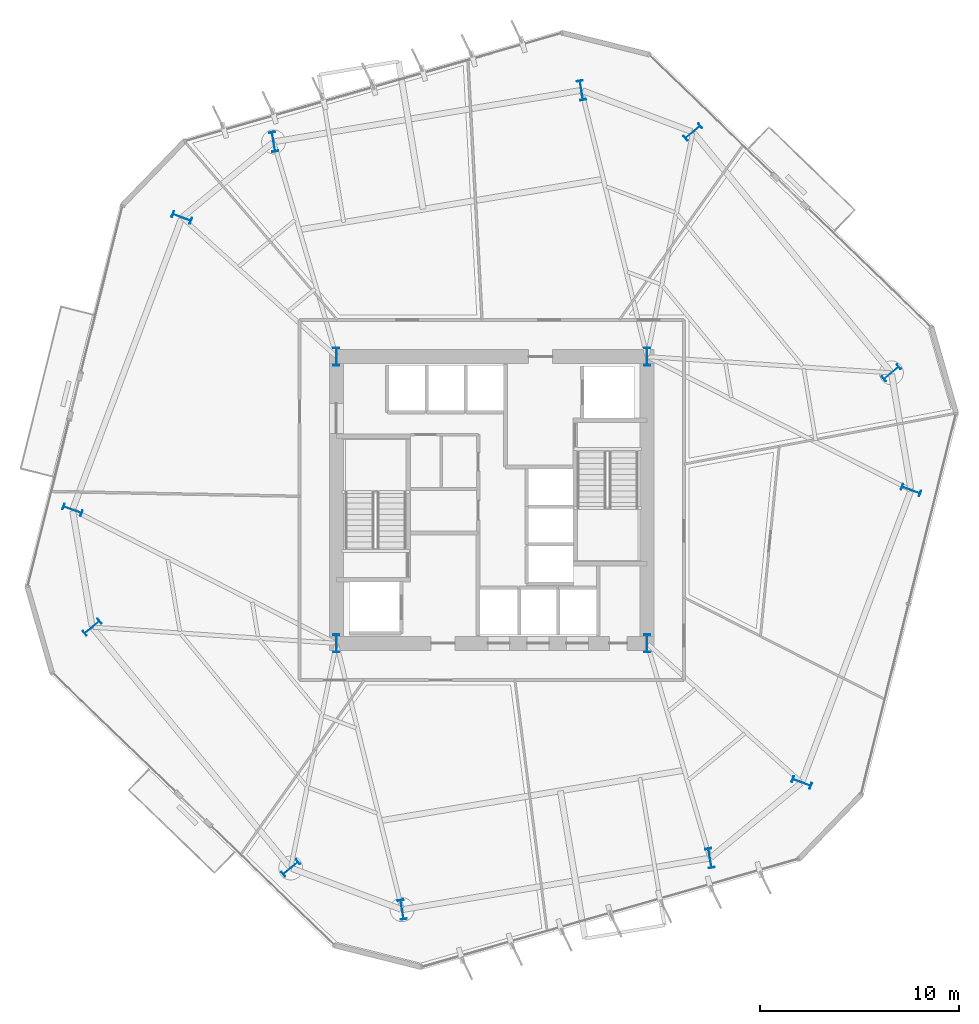
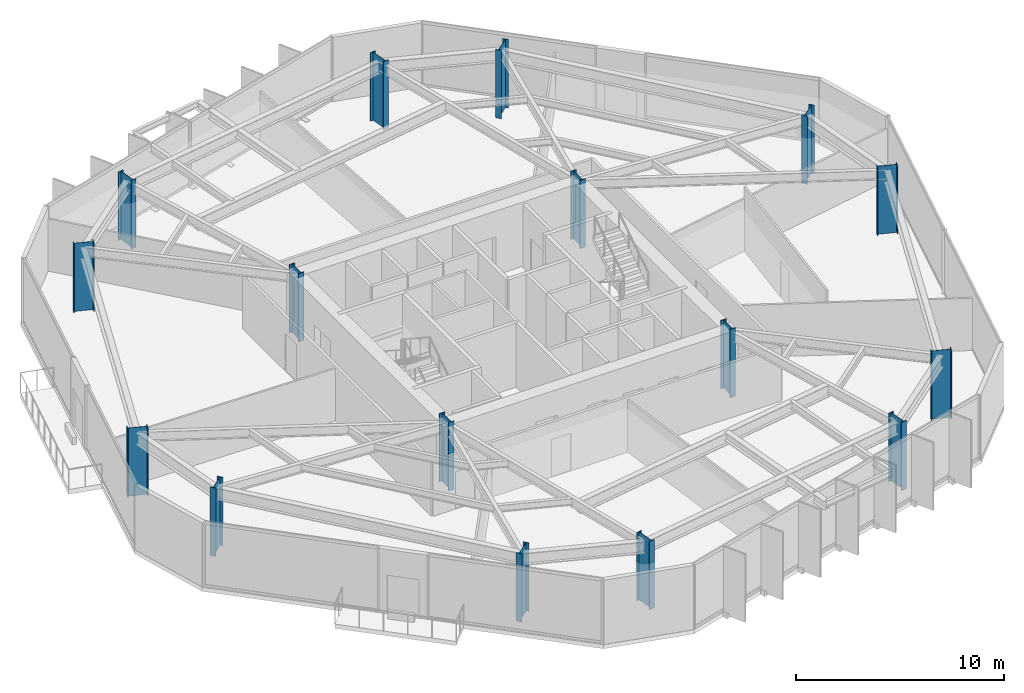
# One storey, part 1 of 10: 16 columns.
"""IFC4 building model written with IfcOpenShell, lengths in metres."""

from ifc_helpers import new_model, si_unit, direction, frame, origin, origin_2d, place, context, subcontext, project, spatial, i_section, extrude, material, material_profile, profile_set, type_object, element, save


model = new_model("IFC4")

# Units and contexts
model_context = context("Model", 3, precision=1e-05, world=origin(), true_north=direction((0.0, 1.0)))
body_context = subcontext(model_context, "Body", "Model", "MODEL_VIEW")
ifc_project = project(units=[si_unit("LENGTHUNIT", "METRE"), si_unit("AREAUNIT", "SQUARE_METRE"), si_unit("VOLUMEUNIT", "CUBIC_METRE"), si_unit("PLANEANGLEUNIT", "RADIAN"), si_unit("MASSUNIT", "GRAM", prefix="KILO")], contexts=[model_context])

# Site, building, storey
site_placement = place(None, origin())
site = spatial("IfcSite", under=ifc_project, at=site_placement, CompositionType="ELEMENT")
building_placement = place(site_placement, origin())
building = spatial("IfcBuilding", under=site, at=building_placement, Name="Kranzbogen Civic Tower", CompositionType="ELEMENT")
storey_placement = place(building_placement, frame((0.0, 0.0, 84.0)))
storey = spatial("IfcBuildingStorey", under=building, at=storey_placement, Name="L20", CompositionType="ELEMENT", Elevation=84.0)

# Columns
ifc_material_1 = material(Name="Steel S355", Category="steel")
ifc_material_profile_1 = material_profile(ifc_material_1, i_section(OverallWidth=0.300048828125, OverallDepth=1.0, WebThickness=0.01904296875, FlangeThickness=0.035888671875, at=origin_2d()), Name="HEB 1000")
ifc_profile_set_1 = profile_set([ifc_material_profile_1], Name="Steel S355")
column_type_1 = type_object("IfcColumnType", Name="Structural Column HEB 1000", PredefinedType="COLUMN", material=ifc_profile_set_1)
for number, where, z_axis, x_axis, name in (
    (1, (45.072021484375, 31.385986328125, 0.0), (0.0, 0.0, 1.0), (-0.636078220278, 0.771624583388, 0.0), "L20 tower perimeter tube column 01"),
    (2, (35.09912109375, 43.48388671875, 0.0), (0.0, 0.0, 1.0), (-0.636078220278, 0.771624583388, 0.0), "L20 tower perimeter tube column 02"),
    (3, (29.5048828125, 45.575927734375, 0.0), (0.0, 0.0, 1.0), (0.986285601537, 0.165047605861, 0.0), "L20 tower perimeter tube column 03"),
    (4, (14.0419921875, 42.988037109375, 0.0), (0.0, 0.0, 1.0), (0.986285601537, 0.165047605861, 0.0), "L20 tower perimeter tube column 04"),
    (5, (9.43310546875, 39.18896484375, 0.0), (0.0, 0.0, 1.0), (0.350207381259, 0.936672189248, 0.0), "L20 tower perimeter tube column 05"),
    (6, (3.943115234375, 24.50390625, 0.0), (0.0, 0.0, 1.0), (0.350207381259, 0.936672189248, 0.0), "L20 tower perimeter tube column 06"),
    (7, (4.927978515625, 18.614013671875, 0.0), (0.0, 0.0, 1.0), (-0.636078220278, 0.771624583388, 0.0), "L20 tower perimeter tube column 07"),
    (8, (14.90087890625, 6.51611328125, 0.0), (0.0, 0.0, 1.0), (-0.636078220278, 0.771624583388, 0.0), "L20 tower perimeter tube column 08"),
    (9, (20.4951171875, 4.424072265625, 0.0), (0.0, 0.0, 1.0), (0.986285601537, 0.165047605861, 0.0), "L20 tower perimeter tube column 09"),
    (10, (35.9580078125, 7.011962890625, 0.0), (0.0, 0.0, 1.0), (0.986285601537, 0.165047605861, 0.0), "L20 tower perimeter tube column 10"),
    (11, (40.56689453125, 10.81103515625, 0.0), (0.0, 0.0, 1.0), (0.350207381259, 0.936672189248, 0.0), "L20 tower perimeter tube column 11"),
    (12, (46.056884765625, 25.49609375, 0.0), (0.0, 0.0, 1.0), (0.350207381259, 0.936672189248, 0.0), "L20 tower perimeter tube column 12"),
):
    element("IfcColumn", number, at=place(storey_placement, frame(where, z_axis=z_axis, x_axis=x_axis)), inside=storey, type_object=column_type_1, Name=name, PredefinedType="COLUMN", context=body_context, shape_type="SweptSolid", body=[
        extrude(i_section(OverallWidth=0.300048828125, OverallDepth=1.0, WebThickness=0.01904296875, FlangeThickness=0.035888671875, at=origin_2d()), origin(), (0.0, 0.0, 1.0), 4.0),
    ])
ifc_material_2 = material(Name="Steel S460", Category="steel")
ifc_material_profile_2 = material_profile(ifc_material_2, i_section(OverallWidth=0.302001953125, OverallDepth=0.909912109375, WebThickness=0.02099609375, FlangeThickness=0.0400390625, at=origin_2d()), Name="HEM 900")
ifc_profile_set_2 = profile_set([ifc_material_profile_2], Name="Steel S460")
column_type_2 = type_object("IfcColumnType", Name="Structural Column HEM 900", PredefinedType="COLUMN", material=ifc_profile_set_2)
for number, where, z_axis, x_axis, name in (
    (13, (17.199951171875, 17.800048828125, 0.0), (0.0, 0.0, 1.0), (1.0, 0.0, 0.0), "L20 composite core corner column 1"),
    (14, (32.800048828125, 17.800048828125, 0.0), (0.0, 0.0, 1.0), (1.0, 0.0, 0.0), "L20 composite core corner column 2"),
    (15, (32.800048828125, 32.199951171875, 0.0), (0.0, 0.0, 1.0), (1.0, 0.0, 0.0), "L20 composite core corner column 3"),
    (16, (17.199951171875, 32.199951171875, 0.0), (0.0, 0.0, 1.0), (1.0, 0.0, 0.0), "L20 composite core corner column 4"),
):
    element("IfcColumn", number, at=place(storey_placement, frame(where, z_axis=z_axis, x_axis=x_axis)), inside=storey, type_object=column_type_2, Name=name, PredefinedType="COLUMN", context=body_context, shape_type="SweptSolid", body=[
        extrude(i_section(OverallWidth=0.302001953125, OverallDepth=0.909912109375, WebThickness=0.02099609375, FlangeThickness=0.0400390625, at=origin_2d()), origin(), (0.0, 0.0, 1.0), 4.0),
    ])

save(model, "model.ifc")
